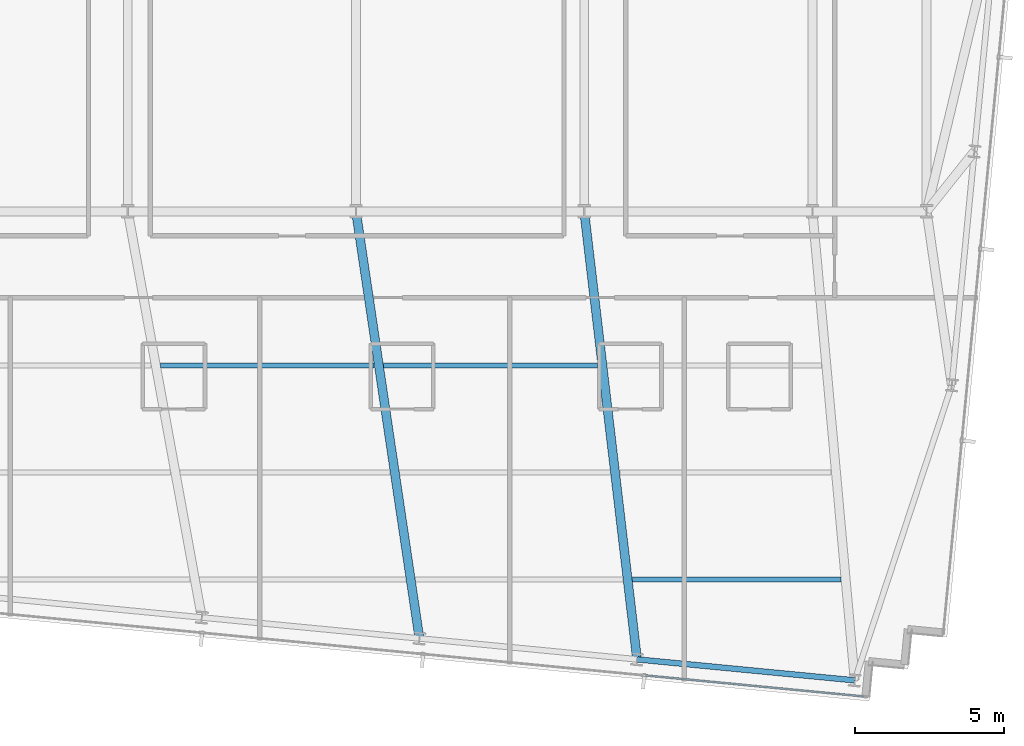
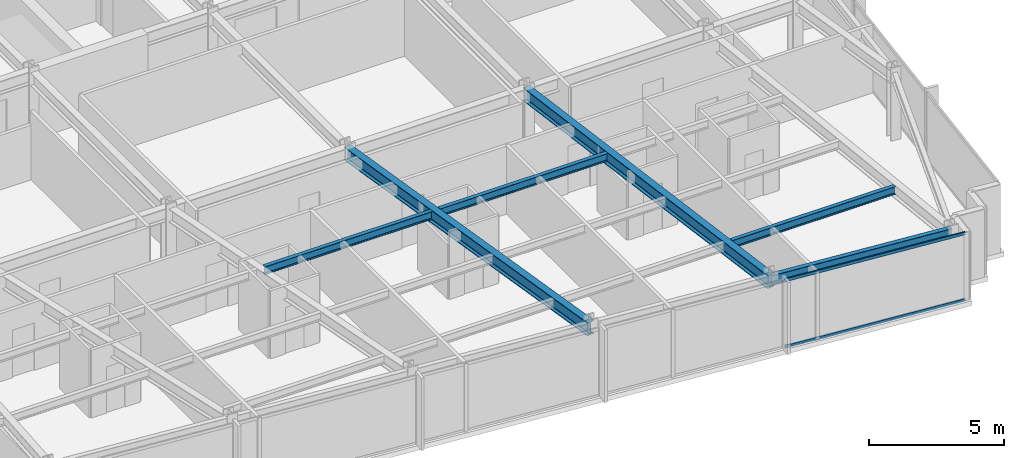
# One storey, part 13 of 37: 6 beams, 2 members, 1 element without a shape of its own.
"""IFC4 building model written with IfcOpenShell, lengths in metres."""

from ifc_helpers import new_model, si_unit, direction, frame, origin, origin_2d, place, context, subcontext, project, spatial, hollow_rectangle, i_section, extrude, material, material_profile, profile_set, type_object, element, aggregate, save


model = new_model("IFC4")

# Units and contexts
model_context = context("Model", 3, precision=1e-05, world=origin(), true_north=direction((0.0, 1.0)))
body_context = subcontext(model_context, "Body", "Model", "MODEL_VIEW")
ifc_project = project(units=[si_unit("LENGTHUNIT", "METRE"), si_unit("AREAUNIT", "SQUARE_METRE"), si_unit("VOLUMEUNIT", "CUBIC_METRE"), si_unit("PLANEANGLEUNIT", "RADIAN"), si_unit("MASSUNIT", "GRAM", prefix="KILO")], contexts=[model_context])

# Site, building, storey
site_placement = place(None, origin())
site = spatial("IfcSite", under=ifc_project, at=site_placement, CompositionType="ELEMENT")
building_placement = place(site_placement, origin())
building = spatial("IfcBuilding", under=site, at=building_placement, Name="Yelkora Congress Tower", CompositionType="ELEMENT")
storey_placement = place(building_placement, frame((0.0, 0.0, 165.5)))
storey = spatial("IfcBuildingStorey", under=building, at=storey_placement, Name="L45", CompositionType="ELEMENT", Elevation=165.5)

# Beams
ifc_material_1 = material(Name="Steel S355J2", Category="steel")
ifc_material_profile_1 = material_profile(ifc_material_1, i_section(OverallWidth=0.300048828125, OverallDepth=0.60009765625, WebThickness=0.015380859375, FlangeThickness=0.030029296875, FilletRadius=0.027099609375, at=origin_2d()), Name="HEB 600")
ifc_profile_set_1 = profile_set([ifc_material_profile_1], Name="Steel S355J2")
beam_type_1 = type_object("IfcBeamType", Name="BM-GIRD-HEB600", PredefinedType="BEAM", material=ifc_profile_set_1)
beam_1_placement = place(storey_placement, frame((40.53564453125, 10.83154296875, 2.780029296875), z_axis=(-0.147026183693, 0.989132600468, 0.0), x_axis=(-0.989132600468, -0.147026183693, 0.0)))
element("IfcBeam", 1, at=beam_1_placement, inside=storey, type_object=beam_type_1, Name="L45 Primary Frame Girder S06", PredefinedType="BEAM", context=body_context, shape_type="SweptSolid", body=[
    extrude(i_section(OverallWidth=0.300048828125, OverallDepth=0.60009765625, WebThickness=0.015380859375, FlangeThickness=0.030029296875, FilletRadius=0.027099609375, at=origin_2d()), origin(), (0.0, 0.0, 1.0), 14.5263671875),
])
beam_2_placement = place(storey_placement, frame((47.85888671875, 10.12646484375, 2.780029296875), z_axis=(-0.117195880411, 0.993108818617, 0.0), x_axis=(-0.993108818617, -0.117195880411, 0.0)))
element("IfcBeam", 2, at=beam_2_placement, inside=storey, type_object=beam_type_1, Name="L45 Primary Frame Girder S07", PredefinedType="BEAM", context=body_context, shape_type="SweptSolid", body=[
    extrude(i_section(OverallWidth=0.300048828125, OverallDepth=0.60009765625, WebThickness=0.015380859375, FlangeThickness=0.030029296875, FilletRadius=0.027099609375, at=origin_2d()), origin(), (0.0, 0.0, 1.0), 15.177978515625),
])
ifc_material_profile_2 = material_profile(ifc_material_1, i_section(OverallWidth=0.169921875, OverallDepth=0.360107421875, WebThickness=0.008056640625, FlangeThickness=0.0126953125, FilletRadius=0.01806640625, at=origin_2d()), Name="IPE 360")
ifc_profile_set_2 = profile_set([ifc_material_profile_2], Name="Steel S355J2")
beam_type_2 = type_object("IfcBeamType", Name="BM-JOIST-IPE360", PredefinedType="JOIST", material=ifc_profile_set_2)
beam_3_placement = place(storey_placement, frame((47.700927734375, 12.8212890625, 2.89990234375), z_axis=(1.0, 0.0, 0.0), x_axis=(0.0, 1.0, 0.0)))
element("IfcBeam", 3, at=beam_3_placement, inside=storey, type_object=beam_type_2, Name="L45 Composite Floor Joist 4", PredefinedType="JOIST", context=body_context, shape_type="SweptSolid", body=[
    extrude(i_section(OverallWidth=0.169921875, OverallDepth=0.360107421875, WebThickness=0.008056640625, FlangeThickness=0.0126953125, FilletRadius=0.01806640625, at=origin_2d()), origin(), (0.0, 0.0, 1.0), 7.014892578125),
])
beam_4_placement = place(storey_placement, frame((31.82470703125, 20.021240234375, 2.89990234375), z_axis=(1.0, 0.0, 0.0), x_axis=(0.0, 1.0, 0.0)))
element("IfcBeam", 4, at=beam_4_placement, inside=storey, type_object=beam_type_2, Name="L45 Composite Floor Joist 16", PredefinedType="JOIST", context=body_context, shape_type="SweptSolid", body=[
    extrude(i_section(OverallWidth=0.169921875, OverallDepth=0.360107421875, WebThickness=0.008056640625, FlangeThickness=0.0126953125, FilletRadius=0.01806640625, at=origin_2d()), origin(), (0.0, 0.0, 1.0), 7.18505859375),
])
beam_5_placement = place(storey_placement, frame((39.32958984375, 20.021240234375, 2.89990234375), z_axis=(1.0, 0.0, 0.0), x_axis=(0.0, 1.0, 0.0)))
element("IfcBeam", 5, at=beam_5_placement, inside=storey, type_object=beam_type_2, Name="L45 Composite Floor Joist 17", PredefinedType="JOIST", context=body_context, shape_type="SweptSolid", body=[
    extrude(i_section(OverallWidth=0.169921875, OverallDepth=0.360107421875, WebThickness=0.008056640625, FlangeThickness=0.0126953125, FilletRadius=0.01806640625, at=origin_2d()), origin(), (0.0, 0.0, 1.0), 7.20166015625),
])
ifc_material_profile_3 = material_profile(ifc_material_1, i_section(OverallWidth=0.18994140625, OverallDepth=0.449951171875, WebThickness=0.009521484375, FlangeThickness=0.0146484375, FilletRadius=0.02099609375, at=origin_2d()), Name="IPE 450")
ifc_profile_set_3 = profile_set([ifc_material_profile_3], Name="Steel S355J2")
beam_type_3 = type_object("IfcBeamType", Name="BM-SPAN-IPE450", PredefinedType="SPANDREL", material=ifc_profile_set_3)
beam_6_placement = place(storey_placement, frame((47.85888671875, 10.12646484375, 2.85498046875), z_axis=(0.995393938538, -0.095869218844, 0.0), x_axis=(0.095869218844, 0.995393938538, 0.0)))
element("IfcBeam", 6, at=beam_6_placement, inside=storey, type_object=beam_type_3, Name="L45 Perimeter Beam 8", PredefinedType="SPANDREL", context=body_context, shape_type="SweptSolid", body=[
    extrude(i_section(OverallWidth=0.18994140625, OverallDepth=0.449951171875, WebThickness=0.009521484375, FlangeThickness=0.0146484375, FilletRadius=0.02099609375, at=origin_2d()), origin(), (0.0, 0.0, 1.0), 7.357177734375),
])

# Curtain wall, members
ifc_material_2 = material(Name="Anodised aluminium and insulated glass", Category="aluminium")
curtain_wall_type = type_object("IfcCurtainWallType", Name="CW-SYS-B3", PredefinedType="NOTDEFINED", material=ifc_material_2)
curtain_wall_placement = place(storey_placement, origin())
curtain_wall = element("IfcCurtainWall", 7, at=curtain_wall_placement, inside=storey, type_object=curtain_wall_type, Name="L45 Unitised Curtain Wall 20", PredefinedType="NOTDEFINED")
ifc_material_3 = material(Name="Anodised aluminium 6063-T6", Category="aluminium")
ifc_material_profile_4 = material_profile(ifc_material_3, hollow_rectangle(XDim=0.06005859375, YDim=0.1298828125, WallThickness=0.00390625, at=origin_2d()), Name="ALU 60x130x4")
ifc_profile_set_4 = profile_set([ifc_material_profile_4], Name="Anodised aluminium 6063-T6")
member_type = type_object("IfcMemberType", Name="MEM-TR-B3", PredefinedType="USERDEFINED", material=ifc_profile_set_4)
member_1_placement = place(storey_placement, frame((55.4716796875, 8.881103515625, 0.030029296875), z_axis=(-0.995396212442, 0.095845606344, 0.0), x_axis=(-0.095845606344, -0.995396212442, 0.0)))
member_1 = element("IfcMember", 8, at=member_1_placement, type_object=member_type, Name="CW-B3 transom 1.1", ObjectType="TRANSOM", PredefinedType="USERDEFINED", context=body_context, shape_type="SweptSolid", body=[
    extrude(hollow_rectangle(XDim=0.06005859375, YDim=0.1298828125, WallThickness=0.00390625, at=origin_2d()), origin(), (0.0, 0.0, 1.0), 7.369140625),
])
member_2_placement = place(storey_placement, frame((55.4716796875, 8.881103515625, 3.050048828125), z_axis=(-0.995396212442, 0.095845606344, 0.0), x_axis=(-0.095845606344, -0.995396212442, 0.0)))
member_2 = element("IfcMember", 9, at=member_2_placement, type_object=member_type, Name="CW-B3 transom 1.2", ObjectType="TRANSOM", PredefinedType="USERDEFINED", context=body_context, shape_type="SweptSolid", body=[
    extrude(hollow_rectangle(XDim=0.06005859375, YDim=0.1298828125, WallThickness=0.00390625, at=origin_2d()), origin(), (0.0, 0.0, 1.0), 7.369140625),
])
aggregate(curtain_wall, [member_1, member_2])

save(model, "model.ifc")
